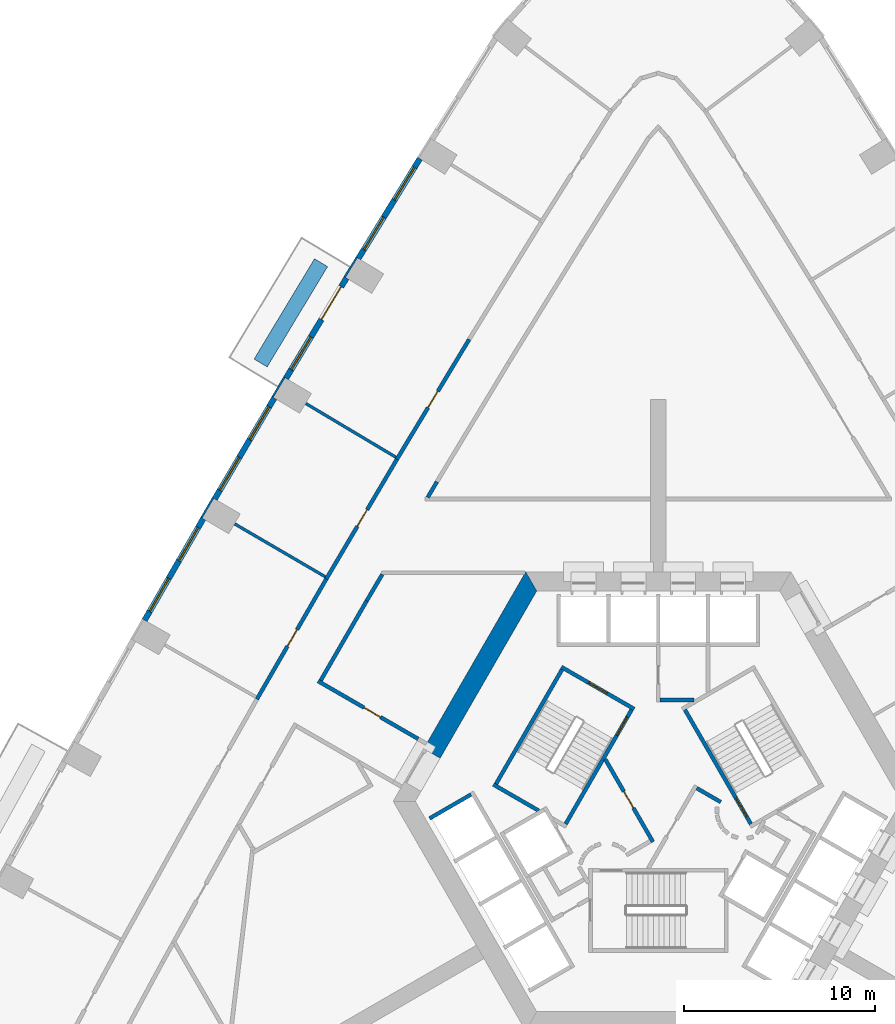
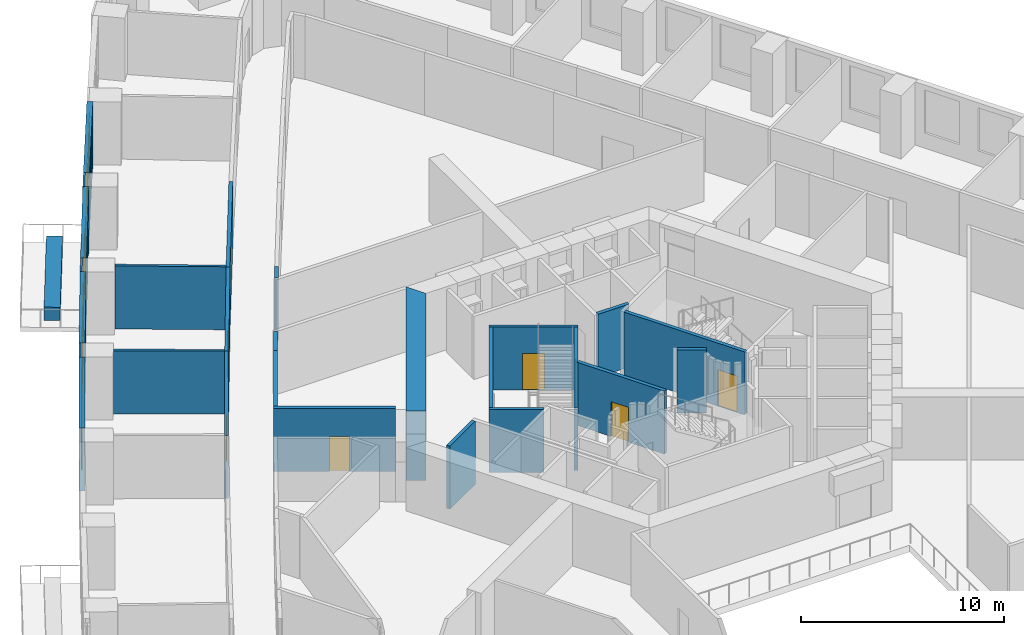
# One storey, part 8 of 16: 27 walls, 9 doors, 7 windows, 16 openings.
"""IFC4 building model written with IfcOpenShell, lengths in metres."""

from ifc_helpers import new_model, si_unit, direction, frame, frame_2d, origin, place, context, subcontext, project, spatial, polyline, rectangle, outline, extrude, material, layer, layer_set, type_object, element, fill, save


model = new_model("IFC4")

# Units and contexts
model_context = context("Model", 3, precision=1e-05, world=origin(), true_north=direction((0.0, 1.0)))
body_context = subcontext(model_context, "Body", "Model", "MODEL_VIEW")
ifc_project = project(units=[si_unit("LENGTHUNIT", "METRE"), si_unit("AREAUNIT", "SQUARE_METRE"), si_unit("VOLUMEUNIT", "CUBIC_METRE"), si_unit("PLANEANGLEUNIT", "RADIAN"), si_unit("MASSUNIT", "GRAM", prefix="KILO")], contexts=[model_context])

# Site, building, storey
site_placement = place(None, origin())
site = spatial("IfcSite", under=ifc_project, at=site_placement, CompositionType="ELEMENT")
building_placement = place(site_placement, origin())
building = spatial("IfcBuilding", under=site, at=building_placement, Name="Entoto Arch Interchange Tower", CompositionType="ELEMENT")
storey_placement = place(building_placement, frame((0.0, 0.0, 68.60009765625)))
storey = spatial("IfcBuildingStorey", under=building, at=storey_placement, Name="L14", CompositionType="ELEMENT", Elevation=68.60009765625)

# Walls
ifc_material_1 = material(Name="Concrete C60/75", Category="concrete")
ifc_layer_1 = layer(ifc_material_1, 1.0)
ifc_layer_set_1 = layer_set([ifc_layer_1], Name="Concrete C60/75")
wall_type_1 = type_object("IfcWallType", Name="Core wall 1000 C60/75", PredefinedType="SHEAR", material=ifc_layer_set_1)
wall_1_placement = place(storey_placement, frame((0.0, 0.0, -0.400146484375)))
element("IfcWall", 1, at=wall_1_placement, inside=storey, type_object=wall_type_1, Name="Core wall NW L14", PredefinedType="SHEAR", context=body_context, shape_type="SweptSolid", body=[
    extrude(outline(polyline([(-12.26708984375, 5.251953125), (-11.402099609375, 4.751953125), (-6.35107421875, 13.5), (-6.927978515625, 14.5), (-12.26708984375, 5.251953125)])), origin(), (0.0, 0.0, 1.0), 4.199951171875),
])
ifc_material_2 = material(Name="Concrete C40/50", Category="concrete")
ifc_layer_2 = layer(ifc_material_2, 0.199951171875)
ifc_layer_set_2 = layer_set([ifc_layer_2], Name="Concrete C40/50")
wall_type_2 = type_object("IfcWallType", Name="LIFT SHAFT WALL 200", PredefinedType="STANDARD", material=ifc_layer_set_2)
wall_2_placement = place(storey_placement, frame((-9.7880859375, 2.85302734375, 0.0), z_axis=(0.0, 0.0, 1.0), x_axis=(-0.865998541277, -0.500046524342, 0.0)))
element("IfcWall", 2, at=wall_2_placement, inside=storey, type_object=wall_type_2, Name="Shaft wall SW3 cross 1", PredefinedType="STANDARD", context=body_context, shape_type="SweptSolid", body=[
    extrude(rectangle(XDim=2.499755859375, YDim=0.199951171875, at=frame_2d((1.25, 0.0))), origin(), (0.0, 0.0, 1.0), 3.7998046875),
])
ifc_material_3 = material(Name="Gypsum board partition on steel studs", Category="steel")
ifc_layer_3 = layer(ifc_material_3, 0.14990234375)
ifc_layer_set_3 = layer_set([ifc_layer_3], Name="Gypsum board partition on steel studs")
wall_type_3 = type_object("IfcWallType", Name="PARTITION 150", PredefinedType="PARTITIONING", material=ifc_layer_set_3)
wall_3_placement = place(storey_placement, frame((-13.716064453125, 20.488037109375, 0.0), z_axis=(0.0, 0.0, 1.0), x_axis=(-0.85883841868, 0.512246591594, 0.0)))
element("IfcWall", 3, at=wall_3_placement, inside=storey, type_object=wall_type_3, Name="wall:L14:p144", PredefinedType="PARTITIONING", context=body_context, shape_type="SweptSolid", body=[
    extrude(rectangle(XDim=5.4794921875, YDim=0.14990234375, at=frame_2d((2.73974609375, 0.0))), origin(), (0.0, 0.0, 1.0), 3.7998046875),
])
wall_4_placement = place(storey_placement, frame((-17.405029296875, 14.237060546875, 0.0), z_axis=(0.0, 0.0, 1.0), x_axis=(-0.863614048932, 0.504153522736, 0.0)))
element("IfcWall", 4, at=wall_4_placement, inside=storey, type_object=wall_type_3, Name="wall:L14:p145", PredefinedType="PARTITIONING", context=body_context, shape_type="SweptSolid", body=[
    extrude(rectangle(XDim=5.48046875, YDim=0.14990234375, at=frame_2d((2.740234375, 0.0))), origin(), (0.0, 0.0, 1.0), 3.7998046875),
])
ifc_layer_4 = layer(ifc_material_3, 0.199951171875)
ifc_layer_set_4 = layer_set([ifc_layer_4], Name="Gypsum board partition on steel studs")
wall_type_4 = type_object("IfcWallType", Name="PARTITION 200", PredefinedType="PARTITIONING", material=ifc_layer_set_4)
wall_5_placement = place(storey_placement, frame((-14.427001953125, 14.364013671875, 0.0), z_axis=(0.0, 0.0, 1.0), x_axis=(-0.508509719672, -0.861056249614, 0.0)))
element("IfcWall", 5, at=wall_5_placement, inside=storey, type_object=wall_type_4, Name="wall:L14:p001", PredefinedType="PARTITIONING", context=body_context, shape_type="SweptSolid", body=[
    extrude(rectangle(XDim=1.61083984375, YDim=0.199951171875, at=frame_2d((0.805419921875, 0.0))), origin(), (0.0, 0.0, 1.0), 3.7998046875),
])
wall_6_placement = place(storey_placement, frame((-15.24609375, 12.97705078125, 0.0), z_axis=(0.0, 0.0, 1.0), x_axis=(-0.499891203561, -0.866088208327, 0.0)))
element("IfcWall", 6, at=wall_6_placement, inside=storey, type_object=wall_type_4, Name="wall:L14:p002", PredefinedType="PARTITIONING", context=body_context, shape_type="SweptSolid", body=[
    extrude(rectangle(XDim=4.80078125, YDim=0.199951171875, at=frame_2d((2.400390625, 0.0))), origin(), (0.0, 0.0, 1.0), 3.7998046875),
])

# Wall, opening, door
wall_7_placement = place(storey_placement, frame((-17.782958984375, 8.782958984375, 0.0), z_axis=(0.0, 0.0, 1.0), x_axis=(0.866041598752, -0.499971948444, 0.0)))
wall_7 = element("IfcWall", 7, at=wall_7_placement, inside=storey, type_object=wall_type_4, Name="wall:L14:p003", PredefinedType="PARTITIONING", context=body_context, shape_type="SweptSolid", body=[
    extrude(rectangle(XDim=6.042236328125, YDim=0.199951171875, at=frame_2d((3.02099609375, 0.0))), origin(), (0.0, 0.0, 1.0), 3.7998046875),
])
opening_1_placement = place(wall_7_placement, frame((2.77099609375, 0.0, 0.0)))
opening_1 = element("IfcOpeningElement", 8, at=opening_1_placement, cuts=wall_7, Name="Opening L14-D27", PredefinedType="OPENING", context=body_context, shape_type="SweptSolid", body=[
    extrude(rectangle(XDim=1.0, YDim=2.10009765625, at=frame_2d((0.5, 1.050048828125))), frame((0.0, 0.10986328125, 0.0), z_axis=(0.0, -1.0, 0.0), x_axis=(1.0, 0.0, 0.0)), (0.0, 0.0, 1.0), 0.219970703125),
])
ifc_material_4 = material(Name="Timber door leaf in Steel S235 frame", Category="steel")
door_type_1 = type_object("IfcDoorType", Name="DOOR DS-10 1000x2100", OperationType="SINGLE_SWING_LEFT", PredefinedType="DOOR", material=ifc_material_4)
door_1_placement = place(opening_1_placement, origin())
door_1 = element("IfcDoor", 9, at=door_1_placement, inside=storey, type_object=door_type_1, Name="door:L14:27", OperationType="SINGLE_SWING_LEFT", OverallHeight=2.10009765625, OverallWidth=1.0, PredefinedType="DOOR", context=body_context, shape_type="SweptSolid", body=[
    extrude(rectangle(XDim=1.0, YDim=2.10009765625, at=frame_2d((0.5, 1.050048828125))), frame((0.0, 0.02490234375, 0.0), z_axis=(0.0, -1.0, 0.0), x_axis=(1.0, 0.0, 0.0)), (0.0, 0.0, 1.0), 0.050048828125),
])
fill(opening_1, door_1)

# Wall
wall_8_placement = place(storey_placement, frame((-11.569091796875, 19.2080078125, 0.0), z_axis=(0.0, 0.0, 1.0), x_axis=(-0.508048285953, -0.861328589529, 0.0)))
element("IfcWall", 10, at=wall_8_placement, inside=storey, type_object=wall_type_4, Name="wall:L14:p017", PredefinedType="PARTITIONING", context=body_context, shape_type="SweptSolid", body=[
    extrude(rectangle(XDim=0.954345703125, YDim=0.199951171875, at=frame_2d((0.47705078125, 0.0))), origin(), (0.0, 0.0, 1.0), 3.7998046875),
])

# Wall, opening, door
wall_9_placement = place(storey_placement, frame((-13.6689453125, 20.373046875, 0.0), z_axis=(0.0, 0.0, 1.0), x_axis=(0.516247820136, 0.85643924957, 0.0)))
wall_9 = element("IfcWall", 11, at=wall_9_placement, inside=storey, type_object=wall_type_4, Name="wall:L14:p067", PredefinedType="PARTITIONING", context=body_context, shape_type="SweptSolid", body=[
    extrude(rectangle(XDim=7.33154296875, YDim=0.199951171875, at=frame_2d((3.665771484375, 0.0))), origin(), (0.0, 0.0, 1.0), 3.7998046875),
])
opening_2_placement = place(wall_9_placement, frame((3.166015625, 0.0, 0.0)))
opening_2 = element("IfcOpeningElement", 12, at=opening_2_placement, cuts=wall_9, Name="Opening L14-D11", PredefinedType="OPENING", context=body_context, shape_type="SweptSolid", body=[
    extrude(rectangle(XDim=1.0, YDim=2.10009765625, at=frame_2d((0.5, 1.050048828125))), frame((0.0, 0.10986328125, 0.0), z_axis=(0.0, -1.0, 0.0), x_axis=(1.0, 0.0, 0.0)), (0.0, 0.0, 1.0), 0.219970703125),
])
door_2_placement = place(opening_2_placement, origin())
door_2 = element("IfcDoor", 13, at=door_2_placement, inside=storey, type_object=door_type_1, Name="door:L14:11", OperationType="SINGLE_SWING_LEFT", OverallHeight=2.10009765625, OverallWidth=1.0, PredefinedType="DOOR", context=body_context, shape_type="SweptSolid", body=[
    extrude(rectangle(XDim=1.0, YDim=2.10009765625, at=frame_2d((0.5, 1.050048828125))), frame((0.0, 0.02490234375, 0.0), z_axis=(0.0, -1.0, 0.0), x_axis=(1.0, 0.0, 0.0)), (0.0, 0.0, 1.0), 0.050048828125),
])
fill(opening_2, door_2)

wall_10_placement = place(storey_placement, frame((-17.35693359375, 14.1220703125, 0.0), z_axis=(0.0, 0.0, 1.0), x_axis=(0.508298575594, 0.861180909014, 0.0)))
wall_10 = element("IfcWall", 14, at=wall_10_placement, inside=storey, type_object=wall_type_4, Name="wall:L14:p069", PredefinedType="PARTITIONING", context=body_context, shape_type="SweptSolid", body=[
    extrude(rectangle(XDim=7.257568359375, YDim=0.199951171875, at=frame_2d((3.62890625, 0.0))), origin(), (0.0, 0.0, 1.0), 3.7998046875),
])
opening_3_placement = place(wall_10_placement, frame((3.2041015625, 0.0, 0.0)))
opening_3 = element("IfcOpeningElement", 15, at=opening_3_placement, cuts=wall_10, Name="Opening L14-D12", PredefinedType="OPENING", context=body_context, shape_type="SweptSolid", body=[
    extrude(rectangle(XDim=1.0, YDim=2.10009765625, at=frame_2d((0.5, 1.050048828125))), frame((0.0, 0.10986328125, 0.0), z_axis=(0.0, -1.0, 0.0), x_axis=(1.0, 0.0, 0.0)), (0.0, 0.0, 1.0), 0.219970703125),
])
door_3_placement = place(opening_3_placement, origin())
door_3 = element("IfcDoor", 16, at=door_3_placement, inside=storey, type_object=door_type_1, Name="door:L14:12", OperationType="SINGLE_SWING_RIGHT", OverallHeight=2.10009765625, OverallWidth=1.0, PredefinedType="DOOR", context=body_context, shape_type="SweptSolid", body=[
    extrude(rectangle(XDim=1.0, YDim=2.10009765625, at=frame_2d((0.5, 1.050048828125))), frame((0.0, 0.02490234375, 0.0), z_axis=(0.0, -1.0, 0.0), x_axis=(1.0, 0.0, 0.0)), (0.0, 0.0, 1.0), 0.050048828125),
])
fill(opening_3, door_3)

wall_11_placement = place(storey_placement, frame((-17.35595703125, 14.1220703125, 0.0), z_axis=(0.0, 0.0, 1.0), x_axis=(-0.499946764175, -0.866056137321, 0.0)))
wall_11 = element("IfcWall", 17, at=wall_11_placement, inside=storey, type_object=wall_type_4, Name="wall:L14:p070", PredefinedType="PARTITIONING", context=body_context, shape_type="SweptSolid", body=[
    extrude(rectangle(XDim=7.254638671875, YDim=0.199951171875, at=frame_2d((3.62744140625, 0.0))), origin(), (0.0, 0.0, 1.0), 3.7998046875),
])
opening_4_placement = place(wall_11_placement, frame((3.052001953125, 0.0, 0.0)))
opening_4 = element("IfcOpeningElement", 18, at=opening_4_placement, cuts=wall_11, Name="Opening L14-D13", PredefinedType="OPENING", context=body_context, shape_type="SweptSolid", body=[
    extrude(rectangle(XDim=1.0, YDim=2.10009765625, at=frame_2d((0.5, 1.050048828125))), frame((0.0, 0.10986328125, 0.0), z_axis=(0.0, -1.0, 0.0), x_axis=(1.0, 0.0, 0.0)), (0.0, 0.0, 1.0), 0.219970703125),
])
door_4_placement = place(opening_4_placement, origin())
door_4 = element("IfcDoor", 19, at=door_4_placement, inside=storey, type_object=door_type_1, Name="door:L14:13", OperationType="SINGLE_SWING_RIGHT", OverallHeight=2.10009765625, OverallWidth=1.0, PredefinedType="DOOR", context=body_context, shape_type="SweptSolid", body=[
    extrude(rectangle(XDim=1.0, YDim=2.10009765625, at=frame_2d((0.5, 1.050048828125))), frame((0.0, 0.02490234375, 0.0), z_axis=(0.0, -1.0, 0.0), x_axis=(1.0, 0.0, 0.0)), (0.0, 0.0, 1.0), 0.050048828125),
])
fill(opening_4, door_4)

# Walls
wall_12_placement = place(storey_placement, frame((1.8798828125, 7.800048828125, 0.0), z_axis=(0.0, 0.0, 1.0), x_axis=(-1.0, 0.0, 0.0)))
element("IfcWall", 20, at=wall_12_placement, inside=storey, type_object=wall_type_4, Name="wall:L14:p083", PredefinedType="PARTITIONING", context=body_context, shape_type="SweptSolid", body=[
    extrude(rectangle(XDim=1.77978515625, YDim=0.199951171875, at=frame_2d((0.889892578125, 0.0))), origin(), (0.0, 0.0, 1.0), 3.7998046875),
])
wall_13_placement = place(storey_placement, frame((2.011962890625, 3.18603515625, 0.0), z_axis=(0.0, 0.0, 1.0), x_axis=(0.865891012941, -0.500232699559, 0.0)))
element("IfcWall", 21, at=wall_13_placement, inside=storey, type_object=wall_type_4, Name="wall:L14:p101", PredefinedType="PARTITIONING", context=body_context, shape_type="SweptSolid", body=[
    extrude(rectangle(XDim=1.449462890625, YDim=0.199951171875, at=frame_2d((0.724609375, 0.0))), origin(), (0.0, 0.0, 1.0), 3.7998046875),
])

# Wall, opening, door
wall_14_placement = place(storey_placement, frame((-2.77099609375, 4.699951171875, 0.0), z_axis=(0.0, 0.0, 1.0), x_axis=(0.499969479948, -0.866043023828, 0.0)))
wall_14 = element("IfcWall", 22, at=wall_14_placement, inside=storey, type_object=wall_type_4, Name="wall:L14:p108", PredefinedType="PARTITIONING", context=body_context, shape_type="SweptSolid", body=[
    extrude(rectangle(XDim=4.990478515625, YDim=0.199951171875, at=frame_2d((2.4951171875, 0.0))), origin(), (0.0, 0.0, 1.0), 3.7998046875),
])
opening_5_placement = place(wall_14_placement, frame((1.945068359375, 0.0, 0.0)))
opening_5 = element("IfcOpeningElement", 23, at=opening_5_placement, cuts=wall_14, Name="Opening L14-D31", PredefinedType="OPENING", context=body_context, shape_type="SweptSolid", body=[
    extrude(rectangle(XDim=1.0, YDim=2.10009765625, at=frame_2d((0.5, 1.050048828125))), frame((0.0, 0.10986328125, 0.0), z_axis=(0.0, -1.0, 0.0), x_axis=(1.0, 0.0, 0.0)), (0.0, 0.0, 1.0), 0.219970703125),
])
ifc_material_5 = material(Name="Fire-rated Steel S235 door and frame", Category="steel")
door_type_2 = type_object("IfcDoorType", Name="DOOR FD-10 1000x2100", OperationType="SINGLE_SWING_LEFT", PredefinedType="DOOR", material=ifc_material_5)
door_5_placement = place(opening_5_placement, origin())
door_5 = element("IfcDoor", 24, at=door_5_placement, inside=storey, type_object=door_type_2, Name="door:L14:31", OperationType="SINGLE_SWING_RIGHT", OverallHeight=2.10009765625, OverallWidth=1.0, PredefinedType="DOOR", context=body_context, shape_type="SweptSolid", body=[
    extrude(rectangle(XDim=1.0, YDim=2.10009765625, at=frame_2d((0.5, 1.050048828125))), frame((0.0, 0.02490234375, 0.0), z_axis=(0.0, -1.0, 0.0), x_axis=(1.0, 0.0, 0.0)), (0.0, 0.0, 1.0), 0.050048828125),
])
fill(opening_5, door_5)

# Wall
ifc_material_6 = material(Name="Board-marked precast concrete C50/60", Category="concrete")
ifc_layer_5 = layer(ifc_material_6, 0.800048828125)
ifc_layer_set_5 = layer_set([ifc_layer_5], Name="Board-marked precast concrete C50/60")
wall_type_5 = type_object("IfcWallType", Name="PLANTER RC 800 Olea europaea subsp. cuspidata", PredefinedType="STANDARD", material=ifc_layer_set_5)
wall_15_placement = place(storey_placement, frame((-17.6279296875, 30.658935546875, 0.0), z_axis=(0.0, 0.0, 1.0), x_axis=(-0.516130324979, -0.856510062776, 0.0)))
element("IfcWall", 25, at=wall_15_placement, inside=storey, type_object=wall_type_5, Name="Planter NW-03 L14", PredefinedType="STANDARD", context=body_context, shape_type="SweptSolid", body=[
    extrude(rectangle(XDim=6.124755859375, YDim=0.800048828125, at=frame_2d((3.0625, 0.0))), origin(), (0.0, 0.0, 1.0), 0.7998046875),
])

# Wall, opening, door
ifc_layer_6 = layer(ifc_material_2, 0.199951171875)
ifc_layer_set_6 = layer_set([ifc_layer_6], Name="Concrete C40/50")
wall_type_6 = type_object("IfcWallType", Name="STAIR ENCLOSURE WALL 200", PredefinedType="STANDARD", material=ifc_layer_set_6)
wall_16_placement = place(storey_placement, frame((4.843017578125, 1.31201171875, 0.0), z_axis=(0.0, 0.0, 1.0), x_axis=(-0.499963383562, 0.866046543262, 0.0)))
wall_16 = element("IfcWall", 26, at=wall_16_placement, inside=storey, type_object=wall_type_6, Name="Stair wall ST-NE hall", PredefinedType="STANDARD", context=body_context, shape_type="SweptSolid", body=[
    extrude(rectangle(XDim=6.900390625, YDim=0.199951171875, at=frame_2d((3.4501953125, 0.0))), origin(), (0.0, 0.0, 1.0), 3.7998046875),
])
opening_6_placement = place(wall_16_placement, frame((0.449951171875, 0.0, 0.0)))
opening_6 = element("IfcOpeningElement", 27, at=opening_6_placement, cuts=wall_16, Name="Opening SD-ST-NE-L14", PredefinedType="OPENING", context=body_context, shape_type="SweptSolid", body=[
    extrude(rectangle(XDim=1.10009765625, YDim=2.199951171875, at=frame_2d((0.550048828125, 1.10009765625))), frame((0.0, 0.10986328125, 0.0), z_axis=(0.0, -1.0, 0.0), x_axis=(1.0, 0.0, 0.0)), (0.0, 0.0, 1.0), 0.219970703125),
])
ifc_material_7 = material(Name="Steel S235", Category="steel")
door_type_3 = type_object("IfcDoorType", Name="STAIR DOOR SD1 1100x2200", OperationType="SINGLE_SWING_LEFT", PredefinedType="DOOR", material=ifc_material_7)
door_6_placement = place(opening_6_placement, origin())
door_6 = element("IfcDoor", 28, at=door_6_placement, inside=storey, type_object=door_type_3, Name="Stair door ST-NE L14", OperationType="SINGLE_SWING_LEFT", OverallHeight=2.199951171875, OverallWidth=1.10009765625, PredefinedType="DOOR", context=body_context, shape_type="SweptSolid", body=[
    extrude(rectangle(XDim=1.10009765625, YDim=2.199951171875, at=frame_2d((0.550048828125, 1.10009765625))), frame((0.0, 0.02490234375, 0.0), z_axis=(0.0, -1.0, 0.0), x_axis=(1.0, 0.0, 0.0)), (0.0, 0.0, 1.0), 0.050048828125),
])
fill(opening_6, door_6)

wall_17_placement = place(storey_placement, frame((-1.256103515625, 7.323974609375, 0.0), z_axis=(0.0, 0.0, 1.0), x_axis=(-0.866046073146, 0.499964197906, 0.0)))
wall_17 = element("IfcWall", 29, at=wall_17_placement, inside=storey, type_object=wall_type_6, Name="Stair wall ST-NW near", PredefinedType="STANDARD", context=body_context, shape_type="SweptSolid", body=[
    extrude(rectangle(XDim=4.400146484375, YDim=0.199951171875, at=frame_2d((2.2001953125, 0.0))), origin(), (0.0, 0.0, 1.0), 3.7998046875),
])
opening_7_placement = place(wall_17_placement, frame((1.64990234375, 0.0, 0.0)))
opening_7 = element("IfcOpeningElement", 30, at=opening_7_placement, cuts=wall_17, Name="Opening SD-ST-NW-L14-E", PredefinedType="OPENING", context=body_context, shape_type="SweptSolid", body=[
    extrude(rectangle(XDim=1.10009765625, YDim=2.199951171875, at=frame_2d((0.550048828125, 1.10009765625))), frame((0.0, 0.10986328125, 0.0), z_axis=(0.0, -1.0, 0.0), x_axis=(1.0, 0.0, 0.0)), (0.0, 0.0, 1.0), 0.219970703125),
])
door_7_placement = place(opening_7_placement, origin())
door_7 = element("IfcDoor", 31, at=door_7_placement, inside=storey, type_object=door_type_3, Name="Stair door ST-NW L14 end", OperationType="SINGLE_SWING_LEFT", OverallHeight=2.199951171875, OverallWidth=1.10009765625, PredefinedType="DOOR", context=body_context, shape_type="SweptSolid", body=[
    extrude(rectangle(XDim=1.10009765625, YDim=2.199951171875, at=frame_2d((0.550048828125, 1.10009765625))), frame((0.0, 0.02490234375, 0.0), z_axis=(0.0, -1.0, 0.0), x_axis=(1.0, 0.0, 0.0)), (0.0, 0.0, 1.0), 0.050048828125),
])
fill(opening_7, door_7)

# Wall
wall_18_placement = place(storey_placement, frame((-6.25, 2.010009765625, 0.0), z_axis=(0.0, 0.0, 1.0), x_axis=(-0.86611865017, 0.499838457731, 0.0)))
element("IfcWall", 32, at=wall_18_placement, inside=storey, type_object=wall_type_6, Name="Stair wall ST-NW far", PredefinedType="STANDARD", context=body_context, shape_type="SweptSolid", body=[
    extrude(rectangle(XDim=2.73291015625, YDim=0.199951171875, at=frame_2d((1.366455078125, 0.0))), origin(), (0.0, 0.0, 1.0), 3.7998046875),
])

# Wall, opening, door
wall_19_placement = place(storey_placement, frame((-1.39306640625, 7.2880859375, 0.0), z_axis=(0.0, 0.0, 1.0), x_axis=(-0.499963383562, -0.866046543262, 0.0)))
wall_19 = element("IfcWall", 33, at=wall_19_placement, inside=storey, type_object=wall_type_6, Name="Stair wall ST-NW hall", PredefinedType="STANDARD", context=body_context, shape_type="SweptSolid", body=[
    extrude(rectangle(XDim=6.900390625, YDim=0.199951171875, at=frame_2d((3.4501953125, 0.0))), origin(), (0.0, 0.0, 1.0), 3.7998046875),
])
opening_8_placement = place(wall_19_placement, frame((0.449951171875, 0.0, 0.0)))
opening_8 = element("IfcOpeningElement", 34, at=opening_8_placement, cuts=wall_19, Name="Opening SD-ST-NW-L14", PredefinedType="OPENING", context=body_context, shape_type="SweptSolid", body=[
    extrude(rectangle(XDim=1.10009765625, YDim=2.199951171875, at=frame_2d((0.550048828125, 1.10009765625))), frame((0.0, 0.10986328125, 0.0), z_axis=(0.0, -1.0, 0.0), x_axis=(1.0, 0.0, 0.0)), (0.0, 0.0, 1.0), 0.219970703125),
])
door_8_placement = place(opening_8_placement, origin())
door_8 = element("IfcDoor", 35, at=door_8_placement, inside=storey, type_object=door_type_3, Name="Stair door ST-NW L14", OperationType="SINGLE_SWING_LEFT", OverallHeight=2.199951171875, OverallWidth=1.10009765625, PredefinedType="DOOR", context=body_context, shape_type="SweptSolid", body=[
    extrude(rectangle(XDim=1.10009765625, YDim=2.199951171875, at=frame_2d((0.550048828125, 1.10009765625))), frame((0.0, 0.02490234375, 0.0), z_axis=(0.0, -1.0, 0.0), x_axis=(1.0, 0.0, 0.0)), (0.0, 0.0, 1.0), 0.050048828125),
])
fill(opening_8, door_8)

# Wall
wall_20_placement = place(storey_placement, frame((-5.030029296875, 9.387939453125, 0.0), z_axis=(0.0, 0.0, 1.0), x_axis=(-0.499978703459, -0.866037698999, 0.0)))
element("IfcWall", 36, at=wall_20_placement, inside=storey, type_object=wall_type_6, Name="Stair wall ST-NW back", PredefinedType="STANDARD", context=body_context, shape_type="SweptSolid", body=[
    extrude(rectangle(XDim=6.900146484375, YDim=0.199951171875, at=frame_2d((3.4501953125, 0.0))), origin(), (0.0, 0.0, 1.0), 3.7998046875),
])

# Wall, openings, windows
ifc_material_8 = material(Name="Welded tuff (ignimbrite) cladding, warm buff", Category="masonry")
ifc_layer_7 = layer(ifc_material_8, 0.300048828125)
ifc_layer_set_7 = layer_set([ifc_layer_7], Name="Welded tuff (ignimbrite) cladding, warm buff")
wall_type_7 = type_object("IfcWallType", Name="STONE INFILL WALL 300", PredefinedType="STANDARD", material=ifc_layer_set_7)
wall_21_placement = place(storey_placement, frame((-12.466064453125, 36.097900390625, 0.0), z_axis=(0.0, 0.0, 1.0), x_axis=(-0.524239751329, -0.851570715282, 0.0)))
wall_21 = element("IfcWall", 37, at=wall_21_placement, inside=storey, type_object=wall_type_7, Name="Facade wall NW-02 L14", PredefinedType="STANDARD", context=body_context, shape_type="SweptSolid", body=[
    extrude(rectangle(XDim=6.125, YDim=0.300048828125, at=frame_2d((3.0625, 0.0))), origin(), (0.0, 0.0, 1.0), 3.7998046875),
])
opening_9_placement = place(wall_21_placement, frame((0.531005859375, 0.0, 0.89990234375)))
opening_9 = element("IfcOpeningElement", 38, at=opening_9_placement, cuts=wall_21, Name="Opening WO-C", PredefinedType="OPENING", context=body_context, shape_type="SweptSolid", body=[
    extrude(rectangle(XDim=2.0, YDim=2.60009765625, at=frame_2d((1.0, 1.300048828125))), frame((0.0, 0.16015625, 0.0), z_axis=(0.0, -1.0, 0.0), x_axis=(1.0, 0.0, 0.0)), (0.0, 0.0, 1.0), 0.320068359375),
])
opening_10_placement = place(wall_21_placement, frame((3.593994140625, 0.0, 0.89990234375)))
opening_10 = element("IfcOpeningElement", 39, at=opening_10_placement, cuts=wall_21, Name="Opening WO-C", PredefinedType="OPENING", context=body_context, shape_type="SweptSolid", body=[
    extrude(rectangle(XDim=2.0, YDim=2.60009765625, at=frame_2d((1.0, 1.300048828125))), frame((0.0, 0.16015625, 0.0), z_axis=(0.0, -1.0, 0.0), x_axis=(1.0, 0.0, 0.0)), (0.0, 0.0, 1.0), 0.320068359375),
])
ifc_material_9 = material(Name="Clear glass, low-e double glazed", Category="glass")
window_type = type_object("IfcWindowType", Name="WINDOW WO-C 2000x2600", PartitioningType="DOUBLE_PANEL_VERTICAL", PredefinedType="WINDOW", material=ifc_material_9)
window_1_placement = place(opening_9_placement, origin())
window_1 = element("IfcWindow", 40, at=window_1_placement, inside=storey, type_object=window_type, Name="Window WO-C NW-02 L14", OverallHeight=2.60009765625, OverallWidth=2.0, PartitioningType="SINGLE_PANEL", PredefinedType="WINDOW", context=body_context, shape_type="SweptSolid", body=[
    extrude(rectangle(XDim=2.0, YDim=2.60009765625, at=frame_2d((1.0, 1.300048828125))), frame((0.0, 0.030029296875, 0.0), z_axis=(0.0, -1.0, 0.0), x_axis=(1.0, 0.0, 0.0)), (0.0, 0.0, 1.0), 0.06005859375),
])
fill(opening_9, window_1)
window_2_placement = place(opening_10_placement, origin())
window_2 = element("IfcWindow", 41, at=window_2_placement, inside=storey, type_object=window_type, Name="Window WO-C NW-02 L14", OverallHeight=2.60009765625, OverallWidth=2.0, PartitioningType="SINGLE_PANEL", PredefinedType="WINDOW", context=body_context, shape_type="SweptSolid", body=[
    extrude(rectangle(XDim=2.0, YDim=2.60009765625, at=frame_2d((1.0, 1.300048828125))), frame((0.0, 0.030029296875, 0.0), z_axis=(0.0, -1.0, 0.0), x_axis=(1.0, 0.0, 0.0)), (0.0, 0.0, 1.0), 0.06005859375),
])
fill(opening_10, window_2)

# Wall, openings, door, window
wall_22_placement = place(storey_placement, frame((-16.300048828125, 29.85888671875, 0.0), z_axis=(0.0, 0.0, 1.0), x_axis=(-0.516147563478, -0.856499674674, 0.0)))
wall_22 = element("IfcWall", 42, at=wall_22_placement, inside=storey, type_object=wall_type_7, Name="Facade wall NW-03 L14", PredefinedType="STANDARD", context=body_context, shape_type="SweptSolid", body=[
    extrude(rectangle(XDim=6.1259765625, YDim=0.300048828125, at=frame_2d((3.06298828125, 0.0))), origin(), (0.0, 0.0, 1.0), 3.7998046875),
])
opening_11_placement = place(wall_22_placement, frame((0.531982421875, 0.0, 0.0)))
opening_11 = element("IfcOpeningElement", 43, at=opening_11_placement, cuts=wall_22, Name="Opening DB-NW-03-L14", PredefinedType="OPENING", context=body_context, shape_type="SweptSolid", body=[
    extrude(rectangle(XDim=2.0, YDim=2.39990234375, at=frame_2d((1.0, 1.199951171875))), frame((0.0, 0.16015625, 0.0), z_axis=(0.0, -1.0, 0.0), x_axis=(1.0, 0.0, 0.0)), (0.0, 0.0, 1.0), 0.320068359375),
])
opening_12_placement = place(wall_22_placement, frame((3.594970703125, 0.0, 0.89990234375)))
opening_12 = element("IfcOpeningElement", 44, at=opening_12_placement, cuts=wall_22, Name="Opening WO-C", PredefinedType="OPENING", context=body_context, shape_type="SweptSolid", body=[
    extrude(rectangle(XDim=2.0, YDim=2.60009765625, at=frame_2d((1.0, 1.300048828125))), frame((0.0, 0.16015625, 0.0), z_axis=(0.0, -1.0, 0.0), x_axis=(1.0, 0.0, 0.0)), (0.0, 0.0, 1.0), 0.320068359375),
])
ifc_material_10 = material(Name="Aluminium and clear glass, anodised", Category="aluminium")
door_type_4 = type_object("IfcDoorType", Name="BALCONY DOOR DB 2000x2400", OperationType="SLIDING_TO_LEFT", PredefinedType="DOOR", material=ifc_material_10)
door_9_placement = place(opening_11_placement, origin())
door_9 = element("IfcDoor", 45, at=door_9_placement, inside=storey, type_object=door_type_4, Name="Balcony door NW-03 L14", OperationType="SLIDING_TO_LEFT", OverallHeight=2.39990234375, OverallWidth=2.0, PredefinedType="DOOR", context=body_context, shape_type="SweptSolid", body=[
    extrude(rectangle(XDim=2.0, YDim=2.39990234375, at=frame_2d((1.0, 1.199951171875))), frame((0.0, 0.02490234375, 0.0), z_axis=(0.0, -1.0, 0.0), x_axis=(1.0, 0.0, 0.0)), (0.0, 0.0, 1.0), 0.050048828125),
])
fill(opening_11, door_9)
window_3_placement = place(opening_12_placement, origin())
window_3 = element("IfcWindow", 46, at=window_3_placement, inside=storey, type_object=window_type, Name="Window WO-C NW-03 L14", OverallHeight=2.60009765625, OverallWidth=2.0, PartitioningType="SINGLE_PANEL", PredefinedType="WINDOW", context=body_context, shape_type="SweptSolid", body=[
    extrude(rectangle(XDim=2.0, YDim=2.60009765625, at=frame_2d((1.0, 1.300048828125))), frame((0.0, 0.030029296875, 0.0), z_axis=(0.0, -1.0, 0.0), x_axis=(1.0, 0.0, 0.0)), (0.0, 0.0, 1.0), 0.06005859375),
])
fill(opening_12, window_3)

# Wall, openings, windows
wall_23_placement = place(storey_placement, frame((-20.075927734375, 23.5830078125, 0.0), z_axis=(0.0, 0.0, 1.0), x_axis=(-0.508163938648, -0.861260362177, 0.0)))
wall_23 = element("IfcWall", 47, at=wall_23_placement, inside=storey, type_object=wall_type_7, Name="Facade wall NW-04 L14", PredefinedType="STANDARD", context=body_context, shape_type="SweptSolid", body=[
    extrude(rectangle(XDim=6.1259765625, YDim=0.300048828125, at=frame_2d((3.06298828125, 0.0))), origin(), (0.0, 0.0, 1.0), 3.7998046875),
])
opening_13_placement = place(wall_23_placement, frame((0.531005859375, 0.0, 0.89990234375)))
opening_13 = element("IfcOpeningElement", 48, at=opening_13_placement, cuts=wall_23, Name="Opening WO-C", PredefinedType="OPENING", context=body_context, shape_type="SweptSolid", body=[
    extrude(rectangle(XDim=2.0, YDim=2.60009765625, at=frame_2d((1.0, 1.300048828125))), frame((0.0, 0.16015625, 0.0), z_axis=(0.0, -1.0, 0.0), x_axis=(1.0, 0.0, 0.0)), (0.0, 0.0, 1.0), 0.320068359375),
])
opening_14_placement = place(wall_23_placement, frame((3.593994140625, 0.0, 0.89990234375)))
opening_14 = element("IfcOpeningElement", 49, at=opening_14_placement, cuts=wall_23, Name="Opening WO-C", PredefinedType="OPENING", context=body_context, shape_type="SweptSolid", body=[
    extrude(rectangle(XDim=2.0, YDim=2.60009765625, at=frame_2d((1.0, 1.300048828125))), frame((0.0, 0.16015625, 0.0), z_axis=(0.0, -1.0, 0.0), x_axis=(1.0, 0.0, 0.0)), (0.0, 0.0, 1.0), 0.320068359375),
])
window_4_placement = place(opening_13_placement, origin())
window_4 = element("IfcWindow", 50, at=window_4_placement, inside=storey, type_object=window_type, Name="Window WO-C NW-04 L14", OverallHeight=2.60009765625, OverallWidth=2.0, PartitioningType="SINGLE_PANEL", PredefinedType="WINDOW", context=body_context, shape_type="SweptSolid", body=[
    extrude(rectangle(XDim=2.0, YDim=2.60009765625, at=frame_2d((1.0, 1.300048828125))), frame((0.0, 0.030029296875, 0.0), z_axis=(0.0, -1.0, 0.0), x_axis=(1.0, 0.0, 0.0)), (0.0, 0.0, 1.0), 0.06005859375),
])
fill(opening_13, window_4)
window_5_placement = place(opening_14_placement, origin())
window_5 = element("IfcWindow", 51, at=window_5_placement, inside=storey, type_object=window_type, Name="Window WO-C NW-04 L14", OverallHeight=2.60009765625, OverallWidth=2.0, PartitioningType="SINGLE_PANEL", PredefinedType="WINDOW", context=body_context, shape_type="SweptSolid", body=[
    extrude(rectangle(XDim=2.0, YDim=2.60009765625, at=frame_2d((1.0, 1.300048828125))), frame((0.0, 0.030029296875, 0.0), z_axis=(0.0, -1.0, 0.0), x_axis=(1.0, 0.0, 0.0)), (0.0, 0.0, 1.0), 0.06005859375),
])
fill(opening_14, window_5)

wall_24_placement = place(storey_placement, frame((-23.79296875, 17.27294921875, 0.0), z_axis=(0.0, 0.0, 1.0), x_axis=(-0.499903021601, -0.86608138705, 0.0)))
wall_24 = element("IfcWall", 52, at=wall_24_placement, inside=storey, type_object=wall_type_7, Name="Facade wall NW-05 L14", PredefinedType="STANDARD", context=body_context, shape_type="SweptSolid", body=[
    extrude(rectangle(XDim=6.125244140625, YDim=0.300048828125, at=frame_2d((3.0625, 0.0))), origin(), (0.0, 0.0, 1.0), 3.7998046875),
])
opening_15_placement = place(wall_24_placement, frame((0.531005859375, 0.0, 0.89990234375)))
opening_15 = element("IfcOpeningElement", 53, at=opening_15_placement, cuts=wall_24, Name="Opening WO-C", PredefinedType="OPENING", context=body_context, shape_type="SweptSolid", body=[
    extrude(rectangle(XDim=2.0, YDim=2.60009765625, at=frame_2d((1.0, 1.300048828125))), frame((0.0, 0.16015625, 0.0), z_axis=(0.0, -1.0, 0.0), x_axis=(1.0, 0.0, 0.0)), (0.0, 0.0, 1.0), 0.320068359375),
])
opening_16_placement = place(wall_24_placement, frame((3.593994140625, 0.0, 0.89990234375)))
opening_16 = element("IfcOpeningElement", 54, at=opening_16_placement, cuts=wall_24, Name="Opening WO-C", PredefinedType="OPENING", context=body_context, shape_type="SweptSolid", body=[
    extrude(rectangle(XDim=2.0, YDim=2.60009765625, at=frame_2d((1.0, 1.300048828125))), frame((0.0, 0.16015625, 0.0), z_axis=(0.0, -1.0, 0.0), x_axis=(1.0, 0.0, 0.0)), (0.0, 0.0, 1.0), 0.320068359375),
])
window_6_placement = place(opening_15_placement, origin())
window_6 = element("IfcWindow", 55, at=window_6_placement, inside=storey, type_object=window_type, Name="Window WO-C NW-05 L14", OverallHeight=2.60009765625, OverallWidth=2.0, PartitioningType="SINGLE_PANEL", PredefinedType="WINDOW", context=body_context, shape_type="SweptSolid", body=[
    extrude(rectangle(XDim=2.0, YDim=2.60009765625, at=frame_2d((1.0, 1.300048828125))), frame((0.0, 0.030029296875, 0.0), z_axis=(0.0, -1.0, 0.0), x_axis=(1.0, 0.0, 0.0)), (0.0, 0.0, 1.0), 0.06005859375),
])
fill(opening_15, window_6)
window_7_placement = place(opening_16_placement, origin())
window_7 = element("IfcWindow", 56, at=window_7_placement, inside=storey, type_object=window_type, Name="Window WO-C NW-05 L14", OverallHeight=2.60009765625, OverallWidth=2.0, PartitioningType="SINGLE_PANEL", PredefinedType="WINDOW", context=body_context, shape_type="SweptSolid", body=[
    extrude(rectangle(XDim=2.0, YDim=2.60009765625, at=frame_2d((1.0, 1.300048828125))), frame((0.0, 0.030029296875, 0.0), z_axis=(0.0, -1.0, 0.0), x_axis=(1.0, 0.0, 0.0)), (0.0, 0.0, 1.0), 0.06005859375),
])
fill(opening_16, window_7)

# Walls
ifc_layer_8 = layer(ifc_material_8, 0.10009765625)
ifc_layer_set_8 = layer_set([ifc_layer_8], Name="Welded tuff (ignimbrite) cladding, warm buff")
wall_type_8 = type_object("IfcWallType", Name="STONE PIER CLADDING 100", PredefinedType="STANDARD", material=ifc_layer_set_8)
for number, where, z_axis, x_axis, name in (
    (57, (-15.762939453125, 30.93603515625, 0.0), (0.0, 0.0, 1.0), (-0.521598117945, -0.853191305251, 0.0), "Stone pier NW03 L14"),
    (58, (-19.549072265625, 24.6650390625, 0.0), (0.0, 0.0, 1.0), (-0.513238760752, -0.858245870635, 0.0), "Stone pier NW04 L14"),
):
    element("IfcWall", number, at=place(storey_placement, frame(where, z_axis=z_axis, x_axis=x_axis)), inside=storey, type_object=wall_type_8, Name=name, PredefinedType="STANDARD", context=body_context, shape_type="SweptSolid", body=[
        extrude(rectangle(XDim=1.2001953125, YDim=0.10009765625, at=frame_2d((0.60009765625, 0.0))), origin(), (0.0, 0.0, 1.0), 3.7998046875),
    ])
wall_25_placement = place(storey_placement, frame((-23.277099609375, 18.360107421875, 0.0), z_axis=(0.0, 0.0, 1.0), x_axis=(-0.504225229382, -0.863572184623, 0.0)))
element("IfcWall", 59, at=wall_25_placement, inside=storey, type_object=wall_type_8, Name="Stone pier NW05 L14", PredefinedType="STANDARD", context=body_context, shape_type="SweptSolid", body=[
    extrude(rectangle(XDim=1.19970703125, YDim=0.10009765625, at=frame_2d((0.599853515625, 0.0))), origin(), (0.0, 0.0, 1.0), 3.7998046875),
])

save(model, "model.ifc")
